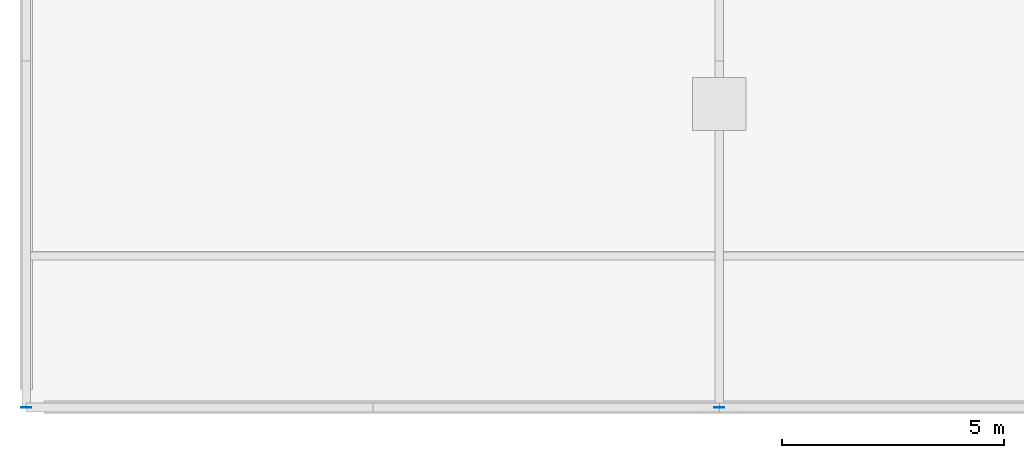
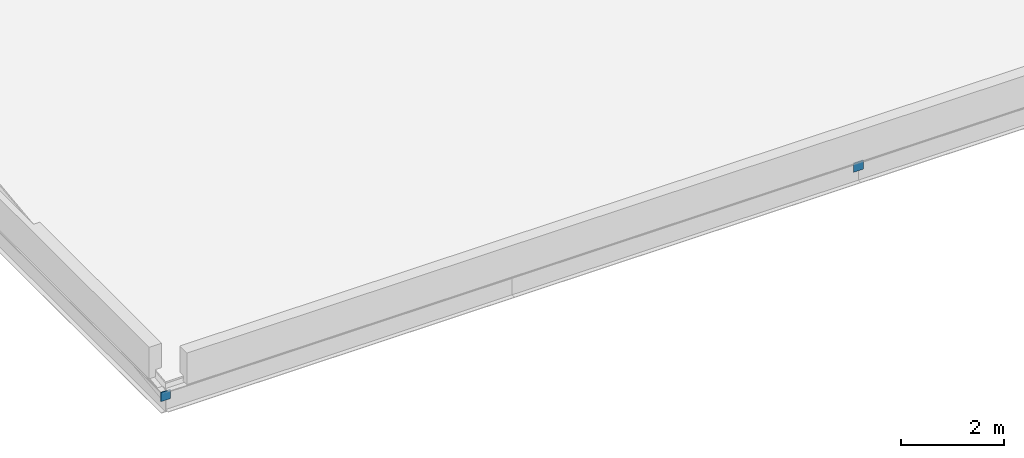
# One storey, part 11 of 21: 2 plates.
"""IFC4 building model written with IfcOpenShell, lengths in metres."""

from ifc_helpers import new_model, si_unit, direction, frame, origin, origin_2d, place, context, subcontext, project, spatial, rectangle, extrude, material, layer, layer_set, type_object, element, save


model = new_model("IFC4")

# Units and contexts
model_context = context("Model", 3, precision=1e-05, world=origin(), true_north=direction((0.0, 1.0)))
body_context = subcontext(model_context, "Body", "Model", "MODEL_VIEW")
ifc_project = project(units=[si_unit("LENGTHUNIT", "METRE"), si_unit("AREAUNIT", "SQUARE_METRE"), si_unit("VOLUMEUNIT", "CUBIC_METRE"), si_unit("PLANEANGLEUNIT", "RADIAN"), si_unit("MASSUNIT", "GRAM", prefix="KILO")], contexts=[model_context])

# Site, building, storey
site_placement = place(None, origin())
site = spatial("IfcSite", under=ifc_project, at=site_placement, CompositionType="ELEMENT")
building_placement = place(site_placement, origin())
building = spatial("IfcBuilding", under=site, at=building_placement, Name="Celorna Specialist Clinic", CompositionType="ELEMENT")
storey_placement = place(building_placement, frame((0.0, 0.0, 23.10009765625)))
storey = spatial("IfcBuildingStorey", under=building, at=storey_placement, Name="L05", CompositionType="ELEMENT", Elevation=23.10009765625)

# Plates
ifc_material = material(Name="Steel S355", Category="steel")
ifc_layer = layer(ifc_material, 0.01611328125, Name="Steel S355")
ifc_layer_set = layer_set([ifc_layer], Name="Steel S355")
plate_type = type_object("IfcPlateType", Name="EP-04", PredefinedType="SHEET", material=ifc_layer_set)
for number, where, z_axis, x_axis, name in (
    (1, (0.0, 0.0, -0.31201171875), (0.0, 0.0, 1.0), (1.0, 0.0, 0.0), "Rafter chord cap plate ROOF-V5-SOUTH"),
    (2, (15.60009765625, 0.0, -0.31201171875), (0.0, 0.0, 1.0), (1.0, 0.0, 0.0), "Rafter chord cap plate ROOF-V5-SOUTH"),
):
    element("IfcPlate", number, at=place(storey_placement, frame(where, z_axis=z_axis, x_axis=x_axis)), inside=storey, type_object=plate_type, Name=name, PredefinedType="SHEET", context=body_context, shape_type="SweptSolid", body=[
        extrude(rectangle(XDim=0.219970703125, YDim=0.013916015625, at=origin_2d()), origin(), (0.0, 0.0, 1.0), 0.219970703125),
    ])

save(model, "model.ifc")
